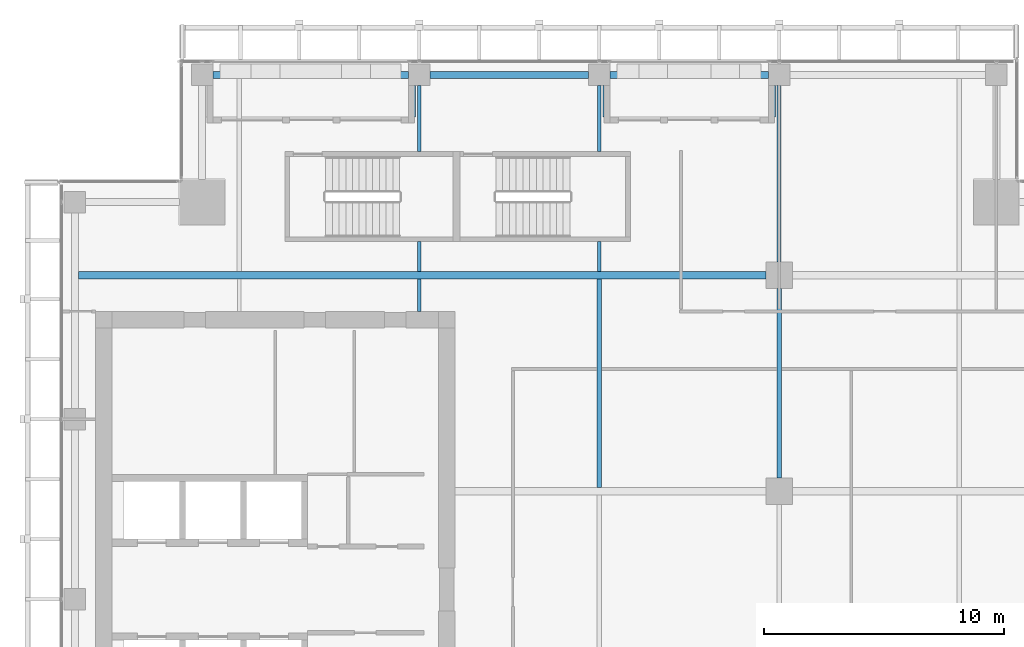
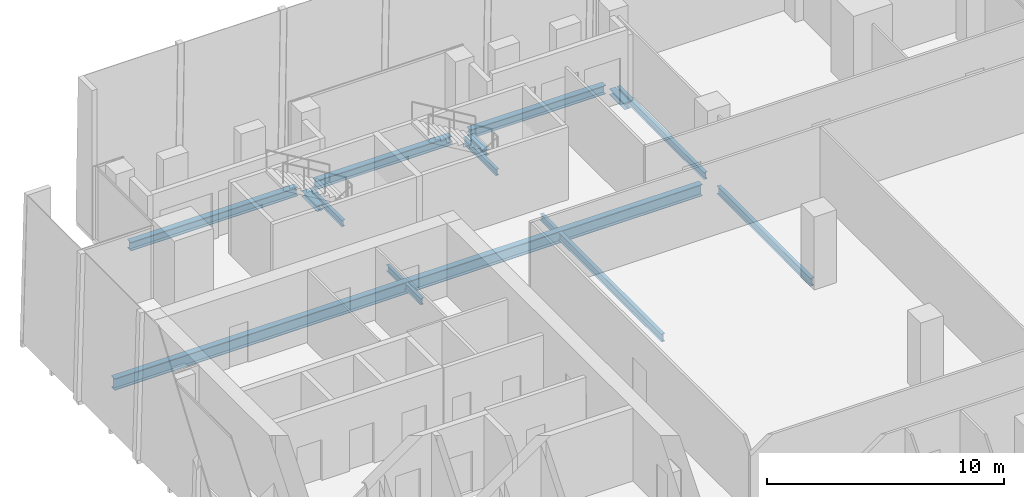
# One storey, part 15 of 35: 15 beams.
"""IFC4 building model written with IfcOpenShell, lengths in metres."""

from ifc_helpers import new_model, si_unit, direction, frame, origin, origin_2d, place, context, subcontext, project, spatial, i_section, extrude, source, transform, mapped, material, material_profile, profile_set, type_object, element, save


model = new_model("IFC4")

# Units and contexts
model_context = context("Model", 3, precision=1e-05, world=origin(), true_north=direction((0.0, 1.0)))
body_context = subcontext(model_context, "Body", "Model", "MODEL_VIEW")
ifc_project = project(units=[si_unit("LENGTHUNIT", "METRE"), si_unit("AREAUNIT", "SQUARE_METRE"), si_unit("VOLUMEUNIT", "CUBIC_METRE"), si_unit("PLANEANGLEUNIT", "RADIAN"), si_unit("MASSUNIT", "GRAM", prefix="KILO")], contexts=[model_context])

# Site, building, storey
site_placement = place(None, origin())
site = spatial("IfcSite", under=ifc_project, at=site_placement, CompositionType="ELEMENT")
building_placement = place(site_placement, origin())
building = spatial("IfcBuilding", under=site, at=building_placement, Name="Khomas Fold Tower", CompositionType="ELEMENT")
storey_placement = place(building_placement, frame((0.0, 0.0, 266.199951171875)))
storey = spatial("IfcBuildingStorey", under=building, at=storey_placement, Name="L60", CompositionType="ELEMENT", Elevation=266.199951171875)

# Beams
ifc_material_1 = material(Name="Steel S355", Category="steel")
ifc_material_profile_1 = material_profile(ifc_material_1, i_section(OverallWidth=0.179931640625, OverallDepth=0.39990234375, WebThickness=0.008544921875, FlangeThickness=0.013427734375, at=origin_2d()), Name="IPE 400")
ifc_profile_set_1 = profile_set([ifc_material_profile_1], Name="Steel S355")
beam_type_1 = type_object("IfcBeamType", Name="IPE 400 beam JB3", PredefinedType="BEAM", material=ifc_profile_set_1)
shared_shape_1 = source(origin(), body_context, "Body", "SweptSolid", [
    extrude(i_section(OverallWidth=0.179931640625, OverallDepth=0.39990234375, WebThickness=0.008544921875, FlangeThickness=0.013427734375, at=origin_2d()), origin(), (0.0, 0.0, 1.0), 8.7001953125),
])
beam_1_placement = place(storey_placement, frame((27.0, 31.64990234375, -0.449951171875), z_axis=(0.0, 1.0, 0.0), x_axis=(-1.0, 0.0, 0.0)))
element("IfcBeam", 1, at=beam_1_placement, inside=storey, type_object=beam_type_1, Name="JB3", PredefinedType="BEAM", context=body_context, shape_type="MappedRepresentation", body=[
    mapped(shared_shape_1, transform((0.0, 0.0, 0.0))),
])
ifc_material_2 = material(Name="Steel S355", Category="steel")
ifc_material_profile_2 = material_profile(ifc_material_2, i_section(OverallWidth=0.159912109375, OverallDepth=0.330078125, WebThickness=0.007568359375, FlangeThickness=0.011474609375, at=origin_2d()), Name="IPE 330")
ifc_profile_set_2 = profile_set([ifc_material_profile_2], Name="Steel S355")
beam_type_2 = type_object("IfcBeamType", Name="IPE 330 beam JB1", PredefinedType="BEAM", material=ifc_profile_set_2)
shared_shape_2 = source(origin(), body_context, "Body", "SweptSolid", [
    extrude(i_section(OverallWidth=0.159912109375, OverallDepth=0.330078125, WebThickness=0.007568359375, FlangeThickness=0.011474609375, at=origin_2d()), origin(), (0.0, 0.0, 1.0), 1.25),
])
for number, where, z_axis, x_axis, name in (
    (2, (19.5, 40.64990234375, -0.4150390625), (0.0, 1.0, 0.0), (-1.0, 0.0, 0.0), "JB1"),
    (3, (27.0, 40.64990234375, -0.4150390625), (0.0, 1.0, 0.0), (-1.0, 0.0, 0.0), "JB1"),
):
    element("IfcBeam", number, at=place(storey_placement, frame(where, z_axis=z_axis, x_axis=x_axis)), inside=storey, type_object=beam_type_2, Name=name, PredefinedType="BEAM", context=body_context, shape_type="MappedRepresentation", body=[
        mapped(shared_shape_2, transform((0.0, 0.0, 0.0))),
    ])
shared_shape_3 = source(origin(), body_context, "Body", "SweptSolid", [
    extrude(i_section(OverallWidth=0.159912109375, OverallDepth=0.330078125, WebThickness=0.007568359375, FlangeThickness=0.011474609375, at=origin_2d()), origin(), (0.0, 0.0, 1.0), 1.35009765625),
])
beam_2_placement = place(storey_placement, frame((19.5, 39.0, -0.4150390625), z_axis=(0.0, 1.0, 0.0), x_axis=(-1.0, 0.0, 0.0)))
element("IfcBeam", 4, at=beam_2_placement, inside=storey, type_object=beam_type_2, Name="JB1", PredefinedType="BEAM", context=body_context, shape_type="MappedRepresentation", body=[
    mapped(shared_shape_3, transform((0.0, 0.0, 0.0))),
])
shared_shape_4 = source(origin(), body_context, "Body", "SweptSolid", [
    extrude(i_section(OverallWidth=0.159912109375, OverallDepth=0.330078125, WebThickness=0.007568359375, FlangeThickness=0.011474609375, at=origin_2d()), origin(), (0.0, 0.0, 1.0), 2.75),
])
for number, where, z_axis, x_axis, name in (
    (5, (19.5, 45.64990234375, -0.4150390625), (0.0, 1.0, 0.0), (-1.0, 0.0, 0.0), "JB1"),
    (6, (27.0, 45.64990234375, -0.4150390625), (0.0, 1.0, 0.0), (-1.0, 0.0, 0.0), "JB1"),
):
    element("IfcBeam", number, at=place(storey_placement, frame(where, z_axis=z_axis, x_axis=x_axis)), inside=storey, type_object=beam_type_2, Name=name, PredefinedType="BEAM", context=body_context, shape_type="MappedRepresentation", body=[
        mapped(shared_shape_4, transform((0.0, 0.0, 0.0))),
    ])
ifc_material_3 = material(Name="Steel S355", Category="steel")
ifc_material_profile_3 = material_profile(ifc_material_3, i_section(OverallWidth=0.300048828125, OverallDepth=0.449951171875, WebThickness=0.013916015625, FlangeThickness=0.02587890625, at=origin_2d()), Name="HE 450 B")
ifc_profile_set_3 = profile_set([ifc_material_profile_3], Name="Steel S355")
beam_type_3 = type_object("IfcBeamType", Name="HE 450 B spandrel SB4", PredefinedType="SPANDREL", material=ifc_profile_set_3)
shared_shape_5 = source(origin(), body_context, "Body", "SweptSolid", [
    extrude(i_section(OverallWidth=0.300048828125, OverallDepth=0.449951171875, WebThickness=0.013916015625, FlangeThickness=0.02587890625, at=origin_2d()), origin(), (0.0, 0.0, 1.0), 8.150146484375),
])
beam_3_placement = place(storey_placement, frame((10.89990234375, 48.85009765625, -0.474853515625), z_axis=(1.0, 0.0, 0.0), x_axis=(0.0, 1.0, 0.0)))
element("IfcBeam", 7, at=beam_3_placement, inside=storey, type_object=beam_type_3, Name="SB4", PredefinedType="SPANDREL", context=body_context, shape_type="MappedRepresentation", body=[
    mapped(shared_shape_5, transform((0.0, 0.0, 0.0))),
])
shared_shape_6 = source(origin(), body_context, "Body", "SweptSolid", [
    extrude(i_section(OverallWidth=0.300048828125, OverallDepth=0.449951171875, WebThickness=0.013916015625, FlangeThickness=0.02587890625, at=origin_2d()), origin(), (0.0, 0.0, 1.0), 6.60009765625),
])
for number, where, z_axis, x_axis, name in (
    (8, (27.449951171875, 48.85009765625, -0.474853515625), (1.0, 0.0, 0.0), (0.0, 1.0, 0.0), "SB4"),
    (9, (19.949951171875, 48.85009765625, -0.474853515625), (1.0, 0.0, 0.0), (0.0, 1.0, 0.0), "SB4"),
):
    element("IfcBeam", number, at=place(storey_placement, frame(where, z_axis=z_axis, x_axis=x_axis)), inside=storey, type_object=beam_type_3, Name=name, PredefinedType="SPANDREL", context=body_context, shape_type="MappedRepresentation", body=[
        mapped(shared_shape_6, transform((0.0, 0.0, 0.0))),
    ])
ifc_material_4 = material(Name="Steel S355", Category="steel")
ifc_material_profile_4 = material_profile(ifc_material_4, i_section(OverallWidth=0.300048828125, OverallDepth=0.60009765625, WebThickness=0.015380859375, FlangeThickness=0.030029296875, at=origin_2d()), Name="HE 600 B")
ifc_profile_set_4 = profile_set([ifc_material_profile_4], Name="Steel S355")
beam_type_4 = type_object("IfcBeamType", Name="HE 600 B beam GB5", PredefinedType="BEAM", material=ifc_profile_set_4)
shared_shape_7 = source(origin(), body_context, "Body", "SweptSolid", [
    extrude(i_section(OverallWidth=0.300048828125, OverallDepth=0.60009765625, WebThickness=0.015380859375, FlangeThickness=0.030029296875, at=origin_2d()), origin(), (0.0, 0.0, 1.0), 28.64990234375),
])
beam_4_placement = place(storey_placement, frame((5.300048828125, 40.5, -0.550048828125), z_axis=(1.0, 0.0, 0.0), x_axis=(0.0, 1.0, 0.0)))
element("IfcBeam", 10, at=beam_4_placement, inside=storey, type_object=beam_type_4, Name="GB5", PredefinedType="BEAM", context=body_context, shape_type="MappedRepresentation", body=[
    mapped(shared_shape_7, transform((0.0, 0.0, 0.0))),
])
ifc_material_5 = material(Name="Steel S355", Category="steel")
ifc_material_profile_5 = material_profile(ifc_material_5, i_section(OverallWidth=0.169921875, OverallDepth=0.360107421875, WebThickness=0.008056640625, FlangeThickness=0.0126953125, at=origin_2d()), Name="IPE 360")
ifc_profile_set_5 = profile_set([ifc_material_profile_5], Name="Steel S355")
beam_type_5 = type_object("IfcBeamType", Name="IPE 360 beam JB2", PredefinedType="BEAM", material=ifc_profile_set_5)
shared_shape_8 = source(origin(), body_context, "Body", "SweptSolid", [
    extrude(i_section(OverallWidth=0.169921875, OverallDepth=0.360107421875, WebThickness=0.008056640625, FlangeThickness=0.0126953125, at=origin_2d()), origin(), (0.0, 0.0, 1.0), 7.349853515625),
])
beam_5_placement = place(storey_placement, frame((34.5, 41.050048828125, -0.429931640625), z_axis=(0.0, 1.0, 0.0), x_axis=(-1.0, 0.0, 0.0)))
element("IfcBeam", 11, at=beam_5_placement, inside=storey, type_object=beam_type_5, Name="JB2", PredefinedType="BEAM", context=body_context, shape_type="MappedRepresentation", body=[
    mapped(shared_shape_8, transform((0.0, 0.0, 0.0))),
])
shared_shape_9 = source(origin(), body_context, "Body", "SweptSolid", [
    extrude(i_section(OverallWidth=0.179931640625, OverallDepth=0.39990234375, WebThickness=0.008544921875, FlangeThickness=0.013427734375, at=origin_2d()), origin(), (0.0, 0.0, 1.0), 7.89990234375),
])
beam_6_placement = place(storey_placement, frame((34.5, 32.050048828125, -0.449951171875), z_axis=(0.0, 1.0, 0.0), x_axis=(-1.0, 0.0, 0.0)))
element("IfcBeam", 12, at=beam_6_placement, inside=storey, type_object=beam_type_1, Name="JB3", PredefinedType="BEAM", context=body_context, shape_type="MappedRepresentation", body=[
    mapped(shared_shape_9, transform((0.0, 0.0, 0.0))),
])
ifc_material_6 = material(Name="Steel S355", Category="steel")
ifc_material_profile_6 = material_profile(ifc_material_6, i_section(OverallWidth=0.300048828125, OverallDepth=0.300048828125, WebThickness=0.010986328125, FlangeThickness=0.01904296875, at=origin_2d()), Name="HE 300 B")
ifc_profile_set_6 = profile_set([ifc_material_profile_6], Name="Steel S355")
beam_type_6 = type_object("IfcBeamType", Name="HE 300 B beam BB1", PredefinedType="BEAM", material=ifc_profile_set_6)
shared_shape_10 = source(origin(), body_context, "Body", "SweptSolid", [
    extrude(i_section(OverallWidth=0.300048828125, OverallDepth=0.300048828125, WebThickness=0.010986328125, FlangeThickness=0.01904296875, at=origin_2d()), origin(), (0.0, 0.0, 1.0), 1.2998046875),
])
for number, where, z_axis, x_axis, name in (
    (13, (19.199951171875, 47.10009765625, -0.39990234375), (0.0, 1.0, 0.0), (-1.0, 0.0, 0.0), "BB1"),
    (14, (27.300048828125, 47.10009765625, -0.39990234375), (0.0, 1.0, 0.0), (-1.0, 0.0, 0.0), "BB1"),
    (15, (34.199951171875, 47.10009765625, -0.39990234375), (0.0, 1.0, 0.0), (-1.0, 0.0, 0.0), "BB1"),
):
    element("IfcBeam", number, at=place(storey_placement, frame(where, z_axis=z_axis, x_axis=x_axis)), inside=storey, type_object=beam_type_6, Name=name, PredefinedType="BEAM", context=body_context, shape_type="MappedRepresentation", body=[
        mapped(shared_shape_10, transform((0.0, 0.0, 0.0))),
    ])

save(model, "model.ifc")
